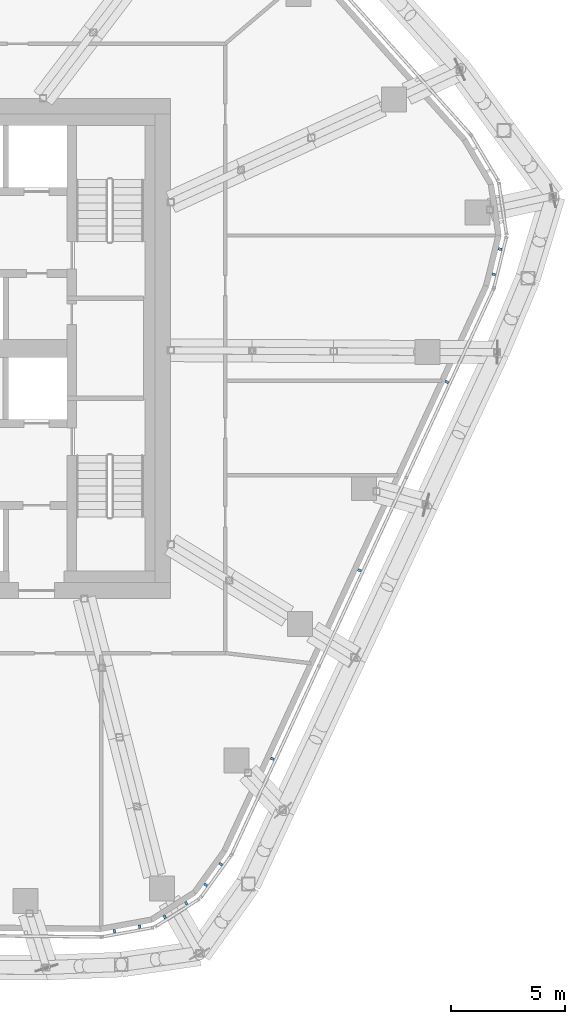
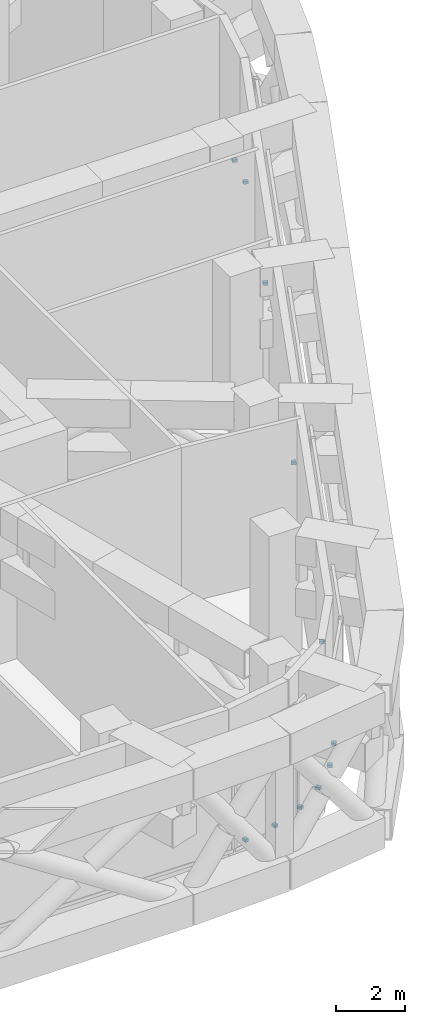
# One storey, part 22 of 31: 11 discrete accessories, 3 elements without a shape of their own.
"""IFC4 building model written with IfcOpenShell, lengths in metres."""

from ifc_helpers import new_model, si_unit, direction, frame, origin, origin_2d, place, context, subcontext, project, spatial, rectangle, extrude, material, layer, layer_set, type_object, element, aggregate, save


model = new_model("IFC4")

# Units and contexts
model_context = context("Model", 3, precision=1e-05, world=origin(), true_north=direction((0.0, 1.0)))
body_context = subcontext(model_context, "Body", "Model", "MODEL_VIEW")
ifc_project = project(units=[si_unit("LENGTHUNIT", "METRE"), si_unit("AREAUNIT", "SQUARE_METRE"), si_unit("VOLUMEUNIT", "CUBIC_METRE"), si_unit("PLANEANGLEUNIT", "RADIAN"), si_unit("MASSUNIT", "GRAM", prefix="KILO")], contexts=[model_context])

# Site, building, storey
site_placement = place(None, origin())
site = spatial("IfcSite", under=ifc_project, at=site_placement, CompositionType="ELEMENT")
building_placement = place(site_placement, origin())
building = spatial("IfcBuilding", under=site, at=building_placement, Name="Dongbaek Canopy Tower", CompositionType="ELEMENT")
storey_placement = place(building_placement, frame((0.0, 0.0, 283.199951171875)))
storey = spatial("IfcBuildingStorey", under=building, at=storey_placement, Name="L60", CompositionType="ELEMENT", Elevation=283.199951171875)

# Curtain wall, discrete accessories
ifc_material_1 = material(Name="Aluminium 6063-T6 pale anodised", Category="aluminium")
ifc_layer = layer(ifc_material_1, 0.14990234375)
ifc_layer_set = layer_set([ifc_layer], Name="CW-7 louvre curtain wall")
curtain_wall_type = type_object("IfcCurtainWallType", Name="CW-7 louvre curtain wall", PredefinedType="NOTDEFINED", material=ifc_layer_set)
curtain_wall_1_placement = place(storey_placement, origin())
curtain_wall_1 = element("IfcCurtainWall", 1, at=curtain_wall_1_placement, inside=storey, type_object=curtain_wall_type, Name="CW-7 louvre wall L60 K0", PredefinedType="NOTDEFINED")
ifc_material_2 = material(Name="Galvanised steel S355 bracket", Category="steel")
discrete_accessory_type = type_object("IfcDiscreteAccessoryType", Name="Louvre bracket BR1", PredefinedType="BRACKET", material=ifc_material_2)
discrete_accessory_1_placement = place(storey_placement, frame((28.20947265625, 3.25830078125, 0.6650390625), z_axis=(0.0, 0.0, 1.0), x_axis=(0.237563534097, 0.971372002514, 0.0)))
discrete_accessory_1 = element("IfcDiscreteAccessory", 2, at=discrete_accessory_1_placement, type_object=discrete_accessory_type, Name="Louvre bracket L60 K0.1.1", PredefinedType="BRACKET", context=body_context, shape_type="SweptSolid", body=[
    extrude(rectangle(XDim=0.1201171875, YDim=0.14990234375, at=origin_2d()), origin(), (0.0, 0.0, 1.0), 0.10009765625),
])
discrete_accessory_2_placement = place(storey_placement, frame((28.480712890625, 4.366943359375, 0.6650390625), z_axis=(0.0, 0.0, 1.0), x_axis=(0.237563534097, 0.971372002514, 0.0)))
discrete_accessory_2 = element("IfcDiscreteAccessory", 3, at=discrete_accessory_2_placement, type_object=discrete_accessory_type, Name="Louvre bracket L60 K0.1.2", PredefinedType="BRACKET", context=body_context, shape_type="SweptSolid", body=[
    extrude(rectangle(XDim=0.1201171875, YDim=0.14990234375, at=origin_2d()), origin(), (0.0, 0.0, 1.0), 0.10009765625),
])
aggregate(curtain_wall_1, [discrete_accessory_1, discrete_accessory_2])

curtain_wall_2_placement = place(storey_placement, origin())
curtain_wall_2 = element("IfcCurtainWall", 4, at=curtain_wall_2_placement, inside=storey, type_object=curtain_wall_type, Name="CW-7 louvre wall L60 K5", PredefinedType="NOTDEFINED")
discrete_accessory_3_placement = place(storey_placement, frame((11.527099609375, -25.629150390625, 0.6650390625), z_axis=(0.0, 0.0, 1.0), x_axis=(0.983701824201, 0.179807455529, 0.0)))
discrete_accessory_3 = element("IfcDiscreteAccessory", 5, at=discrete_accessory_3_placement, type_object=discrete_accessory_type, Name="Louvre bracket L60 K5.1.1", PredefinedType="BRACKET", context=body_context, shape_type="SweptSolid", body=[
    extrude(rectangle(XDim=0.1201171875, YDim=0.14990234375, at=origin_2d()), origin(), (0.0, 0.0, 1.0), 0.10009765625),
])
discrete_accessory_4_placement = place(storey_placement, frame((12.634765625, -25.4267578125, 0.6650390625), z_axis=(0.0, 0.0, 1.0), x_axis=(0.983701824201, 0.179807455529, 0.0)))
discrete_accessory_4 = element("IfcDiscreteAccessory", 6, at=discrete_accessory_4_placement, type_object=discrete_accessory_type, Name="Louvre bracket L60 K5.1.2", PredefinedType="BRACKET", context=body_context, shape_type="SweptSolid", body=[
    extrude(rectangle(XDim=0.1201171875, YDim=0.14990234375, at=origin_2d()), origin(), (0.0, 0.0, 1.0), 0.10009765625),
])
discrete_accessory_5_placement = place(storey_placement, frame((13.7333984375, -24.99853515625, 0.6650390625), z_axis=(0.0, 0.0, 1.0), x_axis=(0.84550685584, 0.533964565049, 0.0)))
discrete_accessory_5 = element("IfcDiscreteAccessory", 7, at=discrete_accessory_5_placement, type_object=discrete_accessory_type, Name="Louvre bracket L60 K5.2.1", PredefinedType="BRACKET", context=body_context, shape_type="SweptSolid", body=[
    extrude(rectangle(XDim=0.1201171875, YDim=0.14990234375, at=origin_2d()), origin(), (0.0, 0.0, 1.0), 0.10009765625),
])
discrete_accessory_6_placement = place(storey_placement, frame((14.68115234375, -24.39990234375, 0.6650390625), z_axis=(0.0, 0.0, 1.0), x_axis=(0.84550685584, 0.533964565049, 0.0)))
discrete_accessory_6 = element("IfcDiscreteAccessory", 8, at=discrete_accessory_6_placement, type_object=discrete_accessory_type, Name="Louvre bracket L60 K5.2.2", PredefinedType="BRACKET", context=body_context, shape_type="SweptSolid", body=[
    extrude(rectangle(XDim=0.1201171875, YDim=0.14990234375, at=origin_2d()), origin(), (0.0, 0.0, 1.0), 0.10009765625),
])
discrete_accessory_7_placement = place(storey_placement, frame((15.5400390625, -23.592041015625, 0.6650390625), z_axis=(0.0, 0.0, 1.0), x_axis=(0.585114918244, 0.810950388402, 0.0)))
discrete_accessory_7 = element("IfcDiscreteAccessory", 9, at=discrete_accessory_7_placement, type_object=discrete_accessory_type, Name="Louvre bracket L60 K5.3.1", PredefinedType="BRACKET", context=body_context, shape_type="SweptSolid", body=[
    extrude(rectangle(XDim=0.1201171875, YDim=0.14990234375, at=origin_2d()), origin(), (0.0, 0.0, 1.0), 0.10009765625),
])
discrete_accessory_8_placement = place(storey_placement, frame((16.198974609375, -22.6787109375, 0.6650390625), z_axis=(0.0, 0.0, 1.0), x_axis=(0.585114918244, 0.810950388402, 0.0)))
discrete_accessory_8 = element("IfcDiscreteAccessory", 10, at=discrete_accessory_8_placement, type_object=discrete_accessory_type, Name="Louvre bracket L60 K5.3.2", PredefinedType="BRACKET", context=body_context, shape_type="SweptSolid", body=[
    extrude(rectangle(XDim=0.1201171875, YDim=0.14990234375, at=origin_2d()), origin(), (0.0, 0.0, 1.0), 0.10009765625),
])
aggregate(curtain_wall_2, [discrete_accessory_3, discrete_accessory_4, discrete_accessory_5, discrete_accessory_6, discrete_accessory_7, discrete_accessory_8])

curtain_wall_3_placement = place(storey_placement, origin())
curtain_wall_3 = element("IfcCurtainWall", 11, at=curtain_wall_3_placement, inside=storey, type_object=curtain_wall_type, Name="CW-7 louvre wall L60 F5", PredefinedType="NOTDEFINED")
discrete_accessory_9_placement = place(storey_placement, frame((18.466552734375, -18.046630859375, 0.6650390625), z_axis=(0.0, 0.0, 1.0), x_axis=(0.420299890907, 0.907385255392, 0.0)))
discrete_accessory_9 = element("IfcDiscreteAccessory", 12, at=discrete_accessory_9_placement, type_object=discrete_accessory_type, Name="Louvre bracket L60 F5.1.1", PredefinedType="BRACKET", context=body_context, shape_type="SweptSolid", body=[
    extrude(rectangle(XDim=0.1201171875, YDim=0.14990234375, at=origin_2d()), origin(), (0.0, 0.0, 1.0), 0.10009765625),
])
discrete_accessory_10_placement = place(storey_placement, frame((22.304443359375, -9.760986328125, 0.6650390625), z_axis=(0.0, 0.0, 1.0), x_axis=(0.420299890907, 0.907385255392, 0.0)))
discrete_accessory_10 = element("IfcDiscreteAccessory", 13, at=discrete_accessory_10_placement, type_object=discrete_accessory_type, Name="Louvre bracket L60 F5.1.2", PredefinedType="BRACKET", context=body_context, shape_type="SweptSolid", body=[
    extrude(rectangle(XDim=0.1201171875, YDim=0.14990234375, at=origin_2d()), origin(), (0.0, 0.0, 1.0), 0.10009765625),
])
discrete_accessory_11_placement = place(storey_placement, frame((26.14208984375, -1.4755859375, 0.6650390625), z_axis=(0.0, 0.0, 1.0), x_axis=(0.420299890907, 0.907385255392, 0.0)))
discrete_accessory_11 = element("IfcDiscreteAccessory", 14, at=discrete_accessory_11_placement, type_object=discrete_accessory_type, Name="Louvre bracket L60 F5.1.3", PredefinedType="BRACKET", context=body_context, shape_type="SweptSolid", body=[
    extrude(rectangle(XDim=0.1201171875, YDim=0.14990234375, at=origin_2d()), origin(), (0.0, 0.0, 1.0), 0.10009765625),
])
aggregate(curtain_wall_3, [discrete_accessory_9, discrete_accessory_10, discrete_accessory_11])

save(model, "model.ifc")
